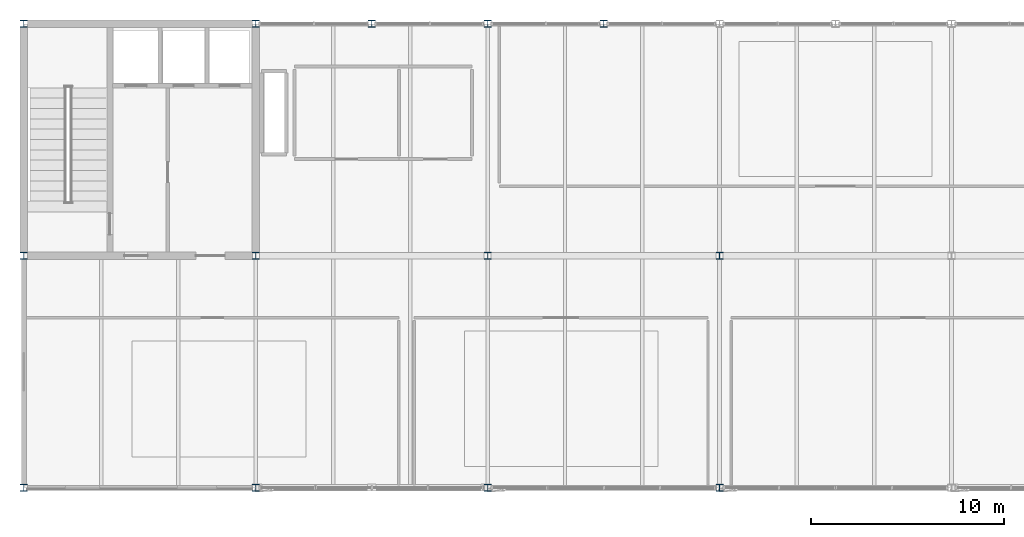
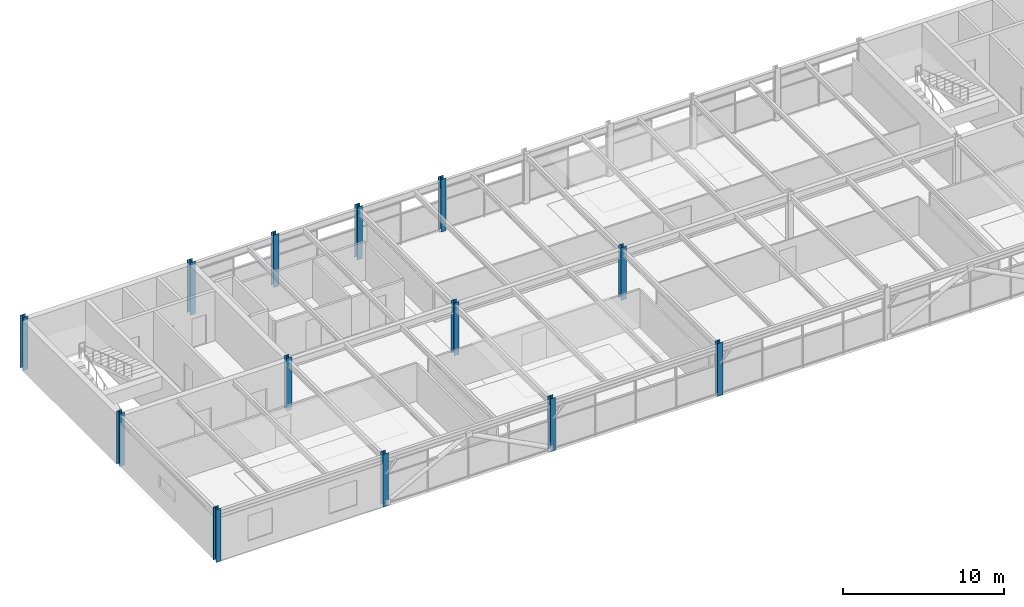
# One storey, part 1 of 23: 13 columns.
"""IFC4 building model written with IfcOpenShell, lengths in metres."""

import ifcopenshell
import ifcopenshell.guid

model = None  # the IFC model being written
_history = None  # IfcOwnerHistory: only IFC2X3 demands one
_inside = {}  # id of a spatial element -> (the spatial element, [elements in it])
_under = {}  # id of a project, library or spatial element -> (it, [spatial elements below it])
_declared = {}  # id of a project -> (the project, [libraries it declares])
_typed = {}  # id of a type object -> (the type object, [elements of that type])
_made_of = {}  # id of a material, layer set ... -> (it, [elements and type objects made of it])


def new_model(schema):
    """Start an empty IFC model of exactly this schema.

    Asked for "IFC4X3", IfcOpenShell would pick the latest addendum, in which some entities
    have other attributes; the version numbers below select the first issue.
    IFC2X3 requires an IfcOwnerHistory on every rooted entity: one is made here for all.
    """
    global model, _history
    if schema == "IFC4X3":
        model = ifcopenshell.file(schema_version=(4, 3, 0, 0))
    else:
        model = ifcopenshell.file(schema=schema)
    _inside.clear()
    _under.clear()
    _declared.clear()
    _typed.clear()
    _made_of.clear()
    _history = None
    if model.schema == "IFC2X3":
        org = make("IfcOrganization", Name="unknown")
        user = make(
            "IfcPersonAndOrganization",
            ThePerson=make("IfcPerson", FamilyName="unknown"),
            TheOrganization=org,
        )
        app = make(
            "IfcApplication",
            ApplicationDeveloper=org,
            Version="unknown",
            ApplicationFullName="unknown",
            ApplicationIdentifier="unknown",
        )
        _history = make(
            "IfcOwnerHistory",
            OwningUser=user,
            OwningApplication=app,
            ChangeAction="ADDED",
            CreationDate=0,
        )
    return model


def make(cls, **values):
    """One entity of the class cls with the attributes given. An attribute that is None is left unset."""
    return model.create_entity(
        cls, **{name: value for name, value in values.items() if value is not None}
    )


def rooted(cls, **values):
    """An entity with a GlobalId (a new one), such as an element, a storey or a relation."""
    return make(cls, GlobalId=ifcopenshell.guid.new(), OwnerHistory=_history, **values)


def si_unit(unit_type, name, prefix=None):
    """IfcSIUnit, for example si_unit("LENGTHUNIT", "METRE", prefix="MILLI")."""
    return make("IfcSIUnit", UnitType=unit_type, Prefix=prefix, Name=name)


def assignment(units):
    """IfcUnitAssignment: the units of a project."""
    return None if units is None else make("IfcUnitAssignment", Units=units)


def point(xyz):
    """IfcCartesianPoint."""
    return None if xyz is None else make("IfcCartesianPoint", Coordinates=xyz)


def direction(xyz):
    """IfcDirection."""
    return None if xyz is None else make("IfcDirection", DirectionRatios=xyz)


def frame(location, z_axis=None, x_axis=None):
    """IfcAxis2Placement3D, a coordinate frame: its origin and axes. An axis left out is left unset."""
    return make(
        "IfcAxis2Placement3D",
        Location=point(location),
        Axis=direction(z_axis),
        RefDirection=direction(x_axis),
    )


def frame_2d(location, x_axis=None):
    """IfcAxis2Placement2D, a coordinate frame in the plane: its origin and x axis."""
    return make(
        "IfcAxis2Placement2D", Location=point(location), RefDirection=direction(x_axis)
    )


def origin():
    """The frame at (0, 0, 0) with its axes left unset."""
    return frame((0.0, 0.0, 0.0))


def origin_2d():
    """The frame at (0, 0) in the plane with its x axis left unset."""
    return frame_2d((0.0, 0.0))


def place(relative_to, where):
    """IfcLocalPlacement: puts the frame where relative to a parent placement (None: the world)."""
    return make(
        "IfcLocalPlacement", PlacementRelTo=relative_to, RelativePlacement=where
    )


def context(
    kind, dimensions, precision=None, world=None, true_north=None, identifier=None
):
    """IfcGeometricRepresentationContext, for example the 3D "Model" context."""
    return make(
        "IfcGeometricRepresentationContext",
        ContextIdentifier=identifier,
        ContextType=kind,
        CoordinateSpaceDimension=dimensions,
        Precision=precision,
        WorldCoordinateSystem=world,
        TrueNorth=true_north,
    )


def subcontext(parent, identifier, kind, view, scale=None):
    """IfcGeometricRepresentationSubContext, for example "Body" below "Model"."""
    return make(
        "IfcGeometricRepresentationSubContext",
        ContextIdentifier=identifier,
        ContextType=kind,
        ParentContext=parent,
        TargetScale=scale,
        TargetView=view,
    )


def project(units=None, contexts=None):
    """IfcProject with its units and contexts."""
    return rooted(
        "IfcProject",
        Name="project",
        RepresentationContexts=contexts,
        UnitsInContext=assignment(units),
    )


def spatial(cls, under=None, at=None, **own):
    """A site, building, storey or space (cls), placed at a placement, below another one or the project."""
    s = rooted(cls, ObjectPlacement=at, **own)
    if under is not None:
        _under.setdefault(under.id(), (under, []))[1].append(s)
    return s


def profile(cls, at=None, kind="AREA", **sizes):
    """A parametric profile (cls). Its sizes go by their IFC names, for example OverallWidth=200.0."""
    return make(cls, ProfileType=kind, Position=at, **sizes)


def i_section(**sizes):
    """IfcIShapeProfileDef."""
    return profile("IfcIShapeProfileDef", **sizes)


def extrude(swept, where, along, depth):
    """IfcExtrudedAreaSolid: the profile swept, set in the frame where, extruded along a direction by depth."""
    return make(
        "IfcExtrudedAreaSolid",
        SweptArea=swept,
        Position=where,
        ExtrudedDirection=direction(along),
        Depth=depth,
    )


def shape(context_of_items, identifier, shape_type, items):
    """IfcShapeRepresentation: the items that make up one representation, for example the "Body"."""
    return make(
        "IfcShapeRepresentation",
        ContextOfItems=context_of_items,
        RepresentationIdentifier=identifier,
        RepresentationType=shape_type,
        Items=items,
    )


def material(Name=None, Category=None):
    """IfcMaterial."""
    return make("IfcMaterial", Name=Name, Category=Category)


def material_profile(
    of_material, cross_section, Name=None, Category=None, Priority=None
):
    """IfcMaterialProfile: a cross section and its material."""
    return make(
        "IfcMaterialProfile",
        Name=Name,
        Material=of_material,
        Profile=cross_section,
        Priority=Priority,
        Category=Category,
    )


def profile_set(profiles, Name=None, composite=None):
    """IfcMaterialProfileSet."""
    return make(
        "IfcMaterialProfileSet",
        Name=Name,
        MaterialProfiles=profiles,
        CompositeProfile=composite,
    )


def made_of(thing, what):
    """Note that an element or type object is made of a material, layer set ...; save() writes the relation."""
    if what is not None:
        _made_of.setdefault(what.id(), (what, []))[1].append(thing)
    return thing


def type_object(cls, material=None, **own):
    """A type object (cls), such as IfcWallType, which elements share."""
    return made_of(rooted(cls, **own), material)


def element(
    cls,
    number,
    at=None,
    inside=None,
    cuts=None,
    type_object=None,
    material=None,
    context=None,
    identifier="Body",
    shape_type=None,
    held_by="IfcProductDefinitionShape",
    body=None,
    shapes=None,
    **own,
):
    """One element of the class cls, such as IfcWall. Its Tag is "e" and its number.

    at: its placement. inside: the storey or other place that contains it. cuts: it is an
    opening in that element (IfcRelVoidsElement). A single representation is given by context,
    identifier, shape_type and body (its items); several are given by shapes. held_by: the class
    of the entity that holds the representations. save() writes the other relations.
    """
    e = rooted(cls, Tag="e%d" % number, ObjectPlacement=at, **own)
    if body is not None:
        shapes = [shape(context, identifier, shape_type, body)]
    if shapes is not None:
        e.Representation = make(held_by, Representations=shapes)
    if inside is not None:
        _inside.setdefault(inside.id(), (inside, []))[1].append(e)
    if cuts is not None:
        rooted(
            "IfcRelVoidsElement", RelatingBuildingElement=cuts, RelatedOpeningElement=e
        )
    if type_object is not None:
        _typed.setdefault(type_object.id(), (type_object, []))[1].append(e)
    return made_of(e, material)


def aggregate(whole, parts):
    """IfcRelAggregates: a whole, such as a stair, and the parts it consists of."""
    return rooted("IfcRelAggregates", RelatingObject=whole, RelatedObjects=parts)


def save(model, path):
    """Write the relations noted so far, then the file.

    IfcRelAggregates (storeys below a building ...), IfcRelContainedInSpatialStructure (elements
    in a storey), IfcRelDefinesByType, IfcRelAssociatesMaterial and IfcRelDeclares: one each for
    every whole, place, type object, material and project.
    """
    for whole, parts in _under.values():
        aggregate(whole, parts)
    for where, things in _inside.values():
        rooted(
            "IfcRelContainedInSpatialStructure",
            RelatedElements=things,
            RelatingStructure=where,
        )
    for kind, things in _typed.values():
        rooted("IfcRelDefinesByType", RelatedObjects=things, RelatingType=kind)
    for what, things in _made_of.values():
        rooted("IfcRelAssociatesMaterial", RelatedObjects=things, RelatingMaterial=what)
    for by, libraries in _declared.values():
        rooted("IfcRelDeclares", RelatingContext=by, RelatedDefinitions=libraries)
    model.write(path)


model = new_model("IFC4")

# Units and contexts
model_context = context("Model", 3, precision=1e-05, world=origin(), true_north=direction((0.0, 1.0)))
body_context = subcontext(model_context, "Body", "Model", "MODEL_VIEW")
ifc_project = project(units=[si_unit("LENGTHUNIT", "METRE"), si_unit("AREAUNIT", "SQUARE_METRE"), si_unit("VOLUMEUNIT", "CUBIC_METRE"), si_unit("PLANEANGLEUNIT", "RADIAN"), si_unit("MASSUNIT", "GRAM", prefix="KILO")], contexts=[model_context])

# Site, building, storey
site_placement = place(None, origin())
site = spatial("IfcSite", under=ifc_project, at=site_placement, CompositionType="ELEMENT")
building_placement = place(site_placement, origin())
building = spatial("IfcBuilding", under=site, at=building_placement, Name="Girod Span Mobility Hub", CompositionType="ELEMENT")
storey_placement = place(building_placement, frame((0.0, 0.0, 65.60009765625)))
storey = spatial("IfcBuildingStorey", under=building, at=storey_placement, Name="L16", CompositionType="ELEMENT", Elevation=65.60009765625)

# Columns
ifc_material = material(Name="Steel A992 Grade 50", Category="steel")
ifc_material_profile = material_profile(ifc_material, i_section(OverallWidth=0.368896484375, OverallDepth=0.35595703125, WebThickness=0.01123046875, FlangeThickness=0.01806640625, FilletRadius=0.01806640625, at=origin_2d()), Name="W14X90")
ifc_profile_set = profile_set([ifc_material_profile], Name="Steel A992 Grade 50")
column_type = type_object("IfcColumnType", Name="COL-STL-W14X90", PredefinedType="COLUMN", material=ifc_profile_set)
for number, where, z_axis, x_axis, name in (
    (1, (48.0, 45.0, 0.0), (0.0, 0.0, 1.0), (1.0, 0.0, 0.0), "Column 5D L16"),
    (2, (48.0, 57.0, 0.0), (0.0, 0.0, 1.0), (1.0, 0.0, 0.0), "Column 5E L16"),
    (3, (48.0, 69.0, 0.0), (0.0, 0.0, 1.0), (1.0, 0.0, 0.0), "Column 5F L16"),
    (4, (60.0, 45.0, 0.0), (0.0, 0.0, 1.0), (1.0, 0.0, 0.0), "Column 6D L16"),
    (5, (60.0, 57.0, 0.0), (0.0, 0.0, 1.0), (1.0, 0.0, 0.0), "Column 6E L16"),
    (6, (60.0, 69.0, 0.0), (0.0, 0.0, 1.0), (1.0, 0.0, 0.0), "Column 6F L16"),
    (7, (72.0, 45.0, 0.0), (0.0, 0.0, 1.0), (1.0, 0.0, 0.0), "Column 7D L16"),
    (8, (72.0, 57.0, 0.0), (0.0, 0.0, 1.0), (1.0, 0.0, 0.0), "Column 7E L16"),
    (9, (72.0, 69.0, 0.0), (0.0, 0.0, 1.0), (1.0, 0.0, 0.0), "Column 7F L16"),
    (10, (84.0, 45.0, 0.0), (0.0, 0.0, 1.0), (1.0, 0.0, 0.0), "Column 8D L16"),
    (11, (84.0, 57.0, 0.0), (0.0, 0.0, 1.0), (1.0, 0.0, 0.0), "Column 8E L16"),
    (12, (66.0, 69.0, 0.0), (0.0, 0.0, 1.0), (1.0, 0.0, 0.0), "Facade Intermediate Column INT-1 L16"),
    (13, (78.0, 69.0, 0.0), (0.0, 0.0, 1.0), (1.0, 0.0, 0.0), "Facade Intermediate Column INT-2 L16"),
):
    element("IfcColumn", number, at=place(storey_placement, frame(where, z_axis=z_axis, x_axis=x_axis)), inside=storey, type_object=column_type, Name=name, PredefinedType="COLUMN", context=body_context, shape_type="SweptSolid", body=[
        extrude(i_section(OverallWidth=0.368896484375, OverallDepth=0.35595703125, WebThickness=0.01123046875, FlangeThickness=0.01806640625, FilletRadius=0.01806640625, at=origin_2d()), origin(), (0.0, 0.0, 1.0), 4.0),
    ])

save(model, "model.ifc")
